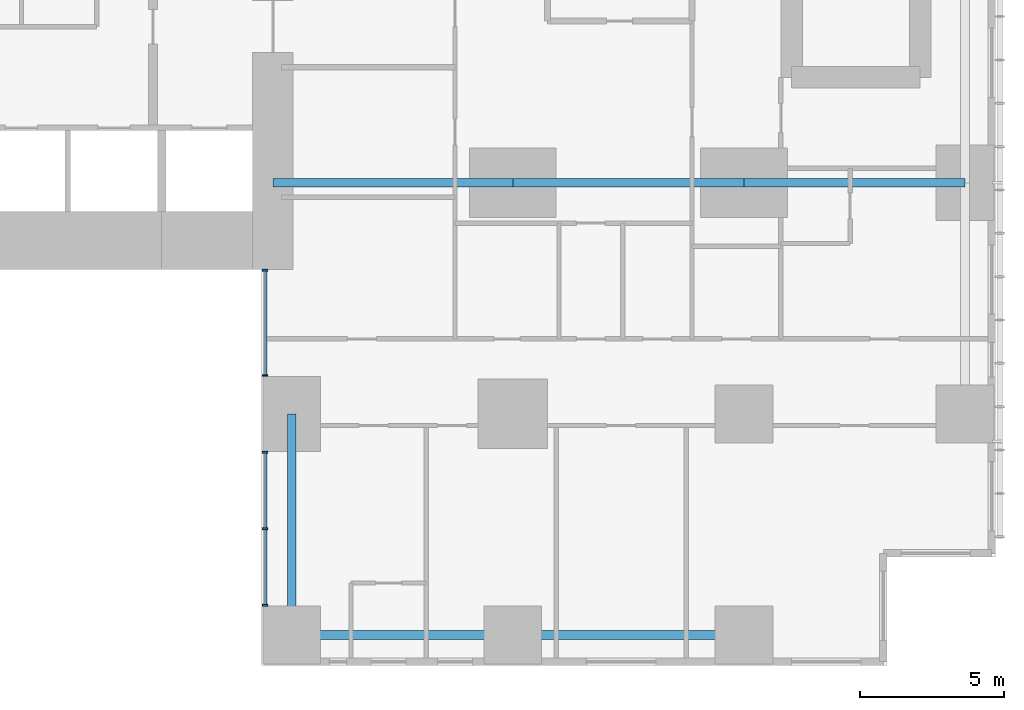
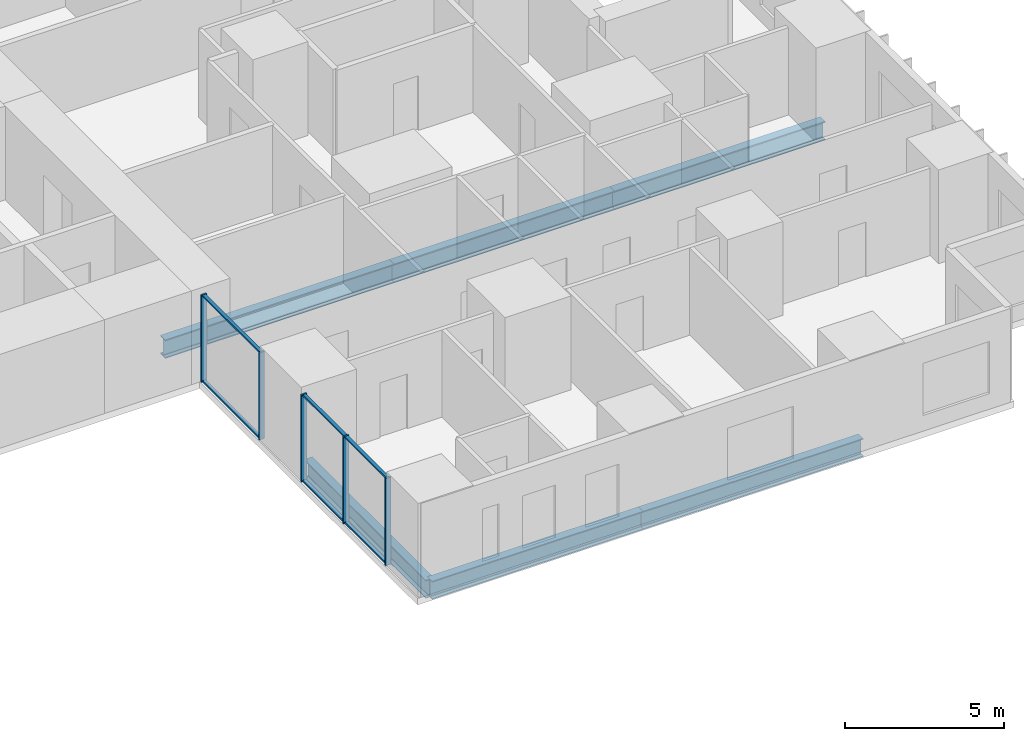
# One storey, part 3 of 20: 11 members, 6 beams, 2 elements without a shape of their own.
"""IFC4 building model written with IfcOpenShell, lengths in metres."""

from ifc_helpers import new_model, si_unit, direction, frame, origin, origin_2d, place, context, subcontext, project, spatial, rectangle, i_section, extrude, material, layer, layer_set, material_profile, profile_set, type_object, element, aggregate, save


model = new_model("IFC4")

# Units and contexts
model_context = context("Model", 3, precision=1e-05, world=origin(), true_north=direction((0.0, 1.0)))
body_context = subcontext(model_context, "Body", "Model", "MODEL_VIEW")
ifc_project = project(units=[si_unit("LENGTHUNIT", "METRE"), si_unit("AREAUNIT", "SQUARE_METRE"), si_unit("VOLUMEUNIT", "CUBIC_METRE"), si_unit("PLANEANGLEUNIT", "RADIAN"), si_unit("MASSUNIT", "GRAM", prefix="KILO")], contexts=[model_context])

# Site, building, storey
site_placement = place(None, origin())
site = spatial("IfcSite", under=ifc_project, at=site_placement, CompositionType="ELEMENT")
building_placement = place(site_placement, origin())
building = spatial("IfcBuilding", under=site, at=building_placement, Name="Cleftline Residences", CompositionType="ELEMENT")
storey_placement = place(building_placement, frame((0.0, 0.0, 36.800048828125)))
storey = spatial("IfcBuildingStorey", under=building, at=storey_placement, Name="L08", CompositionType="ELEMENT", Elevation=36.800048828125)

# Beams
ifc_material_1 = material(Name="Steel S355", Category="steel")
ifc_material_profile_1 = material_profile(ifc_material_1, i_section(OverallWidth=0.300048828125, OverallDepth=0.699951171875, WebThickness=0.01708984375, FlangeThickness=0.031982421875, FilletRadius=0.027099609375, at=origin_2d()))
ifc_profile_set_1 = profile_set([ifc_material_profile_1], Name="Steel S355")
beam_type_1 = type_object("IfcBeamType", Name="BEAM HEB 700", PredefinedType="BEAM", material=ifc_profile_set_1)
beam_1_placement = place(storey_placement, frame((58.0, 0.35009765625, -0.60009765625), z_axis=(-1.0, 0.0, 0.0), x_axis=(0.0, -1.0, 0.0)))
element("IfcBeam", 1, at=beam_1_placement, inside=storey, type_object=beam_type_1, Name="Edge beam", PredefinedType="BEAM", context=body_context, shape_type="SweptSolid", body=[
    extrude(i_section(OverallWidth=0.300048828125, OverallDepth=0.699951171875, WebThickness=0.01708984375, FlangeThickness=0.031982421875, FilletRadius=0.027099609375, at=origin_2d()), origin(), (0.0, 0.0, 1.0), 8.0),
])
for number, where, z_axis, x_axis, name in (
    (2, (50.0, 0.35009765625, -0.60009765625), (-1.0, 0.0, 0.0), (0.0, -1.0, 0.0), "Edge beam"),
    (3, (42.35009765625, 0.35009765625, -0.60009765625), (0.0, 1.0, 0.0), (-1.0, 0.0, 0.0), "Edge beam"),
):
    element("IfcBeam", number, at=place(storey_placement, frame(where, z_axis=z_axis, x_axis=x_axis)), inside=storey, type_object=beam_type_1, Name=name, PredefinedType="BEAM", context=body_context, shape_type="SweptSolid", body=[
        extrude(i_section(OverallWidth=0.300048828125, OverallDepth=0.699951171875, WebThickness=0.01708984375, FlangeThickness=0.031982421875, FilletRadius=0.027099609375, at=origin_2d()), origin(), (0.0, 0.0, 1.0), 7.64990234375),
    ])
ifc_material_2 = material(Name="Steel S355", Category="steel")
ifc_material_profile_2 = material_profile(ifc_material_2, i_section(OverallWidth=0.303955078125, OverallDepth=0.716064453125, WebThickness=0.02099609375, FlangeThickness=0.0400390625, FilletRadius=0.027099609375, at=origin_2d()))
ifc_profile_set_2 = profile_set([ifc_material_profile_2], Name="Steel S355")
beam_type_2 = type_object("IfcBeamType", Name="BEAM HEM 700", PredefinedType="BEAM", material=ifc_profile_set_2)
beam_2_placement = place(storey_placement, frame((65.64990234375, 16.0, -0.608154296875), z_axis=(-1.0, 0.0, 0.0), x_axis=(0.0, -1.0, 0.0)))
element("IfcBeam", 4, at=beam_2_placement, inside=storey, type_object=beam_type_2, Name="Band beam", PredefinedType="BEAM", context=body_context, shape_type="SweptSolid", body=[
    extrude(i_section(OverallWidth=0.303955078125, OverallDepth=0.716064453125, WebThickness=0.02099609375, FlangeThickness=0.0400390625, FilletRadius=0.027099609375, at=origin_2d()), origin(), (0.0, 0.0, 1.0), 7.64990234375),
])
beam_3_placement = place(storey_placement, frame((58.0, 16.0, -0.608154296875), z_axis=(-1.0, 0.0, 0.0), x_axis=(0.0, -1.0, 0.0)))
element("IfcBeam", 5, at=beam_3_placement, inside=storey, type_object=beam_type_2, Name="Band beam", PredefinedType="BEAM", context=body_context, shape_type="SweptSolid", body=[
    extrude(i_section(OverallWidth=0.303955078125, OverallDepth=0.716064453125, WebThickness=0.02099609375, FlangeThickness=0.0400390625, FilletRadius=0.027099609375, at=origin_2d()), origin(), (0.0, 0.0, 1.0), 8.0),
])
beam_4_placement = place(storey_placement, frame((50.0, 16.0, -0.608154296875), z_axis=(-1.0, 0.0, 0.0), x_axis=(0.0, -1.0, 0.0)))
element("IfcBeam", 6, at=beam_4_placement, inside=storey, type_object=beam_type_2, Name="Band beam", PredefinedType="BEAM", context=body_context, shape_type="SweptSolid", body=[
    extrude(i_section(OverallWidth=0.303955078125, OverallDepth=0.716064453125, WebThickness=0.02099609375, FlangeThickness=0.0400390625, FilletRadius=0.027099609375, at=origin_2d()), origin(), (0.0, 0.0, 1.0), 8.300048828125),
])

# Curtain wall, members
ifc_material_3 = material(Name="Aluminium framed curtain wall", Category="aluminium")
ifc_layer = layer(ifc_material_3, 0.199951171875)
ifc_layer_set = layer_set([ifc_layer], Name="CW1 CLEFT GLAZING")
curtain_wall_type = type_object("IfcCurtainWallType", Name="CW1 CLEFT GLAZING", PredefinedType="NOTDEFINED", material=ifc_layer_set)
curtain_wall_1_placement = place(storey_placement, origin())
curtain_wall_1 = element("IfcCurtainWall", 7, at=curtain_wall_1_placement, inside=storey, type_object=curtain_wall_type, Name="Curtain wall CW1", PredefinedType="NOTDEFINED")
ifc_material_4 = material(Name="Aluminium mullion", Category="aluminium")
ifc_material_profile_3 = material_profile(ifc_material_4, rectangle(XDim=0.199951171875, YDim=0.06005859375, at=origin_2d()))
ifc_profile_set_3 = profile_set([ifc_material_profile_3], Name="Aluminium mullion")
member_type_1 = type_object("IfcMemberType", Name="CW1 MULLION", PredefinedType="MULLION", material=ifc_profile_set_3)
member_1_placement = place(storey_placement, frame((41.425048828125, 12.969970703125, 0.0), z_axis=(0.0, 0.0, 1.0), x_axis=(1.0, 0.0, 0.0)))
member_1 = element("IfcMember", 8, at=member_1_placement, type_object=member_type_1, Name="CW1 mullion 1", PredefinedType="MULLION", context=body_context, shape_type="SweptSolid", body=[
    extrude(rectangle(XDim=0.199951171875, YDim=0.06005859375, at=origin_2d()), origin(), (0.0, 0.0, 1.0), 3.349853515625),
])
member_2_placement = place(storey_placement, frame((41.425048828125, 9.330078125, 0.0), z_axis=(0.0, 0.0, 1.0), x_axis=(1.0, 0.0, 0.0)))
member_2 = element("IfcMember", 9, at=member_2_placement, type_object=member_type_1, Name="CW1 mullion 2", PredefinedType="MULLION", context=body_context, shape_type="SweptSolid", body=[
    extrude(rectangle(XDim=0.199951171875, YDim=0.06005859375, at=origin_2d()), origin(), (0.0, 0.0, 1.0), 3.349853515625),
])

curtain_wall_2_placement = place(storey_placement, origin())
curtain_wall_2 = element("IfcCurtainWall", 10, at=curtain_wall_2_placement, inside=storey, type_object=curtain_wall_type, Name="Curtain wall CW1", PredefinedType="NOTDEFINED")
member_3_placement = place(storey_placement, frame((41.425048828125, 6.669921875, 0.0), z_axis=(0.0, 0.0, 1.0), x_axis=(1.0, 0.0, 0.0)))
member_3 = element("IfcMember", 11, at=member_3_placement, type_object=member_type_1, Name="CW1 mullion 1", PredefinedType="MULLION", context=body_context, shape_type="SweptSolid", body=[
    extrude(rectangle(XDim=0.199951171875, YDim=0.06005859375, at=origin_2d()), origin(), (0.0, 0.0, 1.0), 3.349853515625),
])
member_4_placement = place(storey_placement, frame((41.425048828125, 4.02490234375, 0.0), z_axis=(0.0, 0.0, 1.0), x_axis=(1.0, 0.0, 0.0)))
member_4 = element("IfcMember", 12, at=member_4_placement, type_object=member_type_1, Name="CW1 mullion 2", PredefinedType="MULLION", context=body_context, shape_type="SweptSolid", body=[
    extrude(rectangle(XDim=0.199951171875, YDim=0.06005859375, at=origin_2d()), origin(), (0.0, 0.0, 1.0), 3.349853515625),
])
member_5_placement = place(storey_placement, frame((41.425048828125, 1.3798828125, 0.0), z_axis=(0.0, 0.0, 1.0), x_axis=(1.0, 0.0, 0.0)))
member_5 = element("IfcMember", 13, at=member_5_placement, type_object=member_type_1, Name="CW1 mullion 3", PredefinedType="MULLION", context=body_context, shape_type="SweptSolid", body=[
    extrude(rectangle(XDim=0.199951171875, YDim=0.06005859375, at=origin_2d()), origin(), (0.0, 0.0, 1.0), 3.349853515625),
])

# Member
ifc_material_5 = material(Name="Aluminium transom", Category="aluminium")
ifc_material_profile_4 = material_profile(ifc_material_5, rectangle(XDim=0.1201171875, YDim=0.06005859375, at=origin_2d()))
ifc_profile_set_4 = profile_set([ifc_material_profile_4], Name="Aluminium transom")
member_type_2 = type_object("IfcMemberType", Name="CW1 TRANSOM", PredefinedType="USERDEFINED", material=ifc_profile_set_4)
member_6_placement = place(storey_placement, frame((41.425048828125, 12.93994140625, 0.030029296875), z_axis=(0.0, -1.0, 0.0), x_axis=(1.0, 0.0, 0.0)))
member_6 = element("IfcMember", 14, at=member_6_placement, type_object=member_type_2, Name="CW1 transom 1.1", ObjectType="TRANSOM", PredefinedType="USERDEFINED", context=body_context, shape_type="SweptSolid", body=[
    extrude(rectangle(XDim=0.1201171875, YDim=0.06005859375, at=origin_2d()), origin(), (0.0, 0.0, 1.0), 3.579833984375),
])

member_7_placement = place(storey_placement, frame((41.425048828125, 12.93994140625, 3.320068359375), z_axis=(0.0, -1.0, 0.0), x_axis=(1.0, 0.0, 0.0)))
member_7 = element("IfcMember", 15, at=member_7_placement, type_object=member_type_2, Name="CW1 transom 1.2", ObjectType="TRANSOM", PredefinedType="USERDEFINED", context=body_context, shape_type="SweptSolid", body=[
    extrude(rectangle(XDim=0.1201171875, YDim=0.06005859375, at=origin_2d()), origin(), (0.0, 0.0, 1.0), 3.579833984375),
])

aggregate(curtain_wall_1, [member_1, member_2, member_6, member_7])

member_8_placement = place(storey_placement, frame((41.425048828125, 6.639892578125, 0.030029296875), z_axis=(0.0, -1.0, 0.0), x_axis=(1.0, 0.0, 0.0)))
member_8 = element("IfcMember", 16, at=member_8_placement, type_object=member_type_2, Name="CW1 transom 1.1", ObjectType="TRANSOM", PredefinedType="USERDEFINED", context=body_context, shape_type="SweptSolid", body=[
    extrude(rectangle(XDim=0.1201171875, YDim=0.06005859375, at=origin_2d()), origin(), (0.0, 0.0, 1.0), 2.5849609375),
])

member_9_placement = place(storey_placement, frame((41.425048828125, 6.639892578125, 3.320068359375), z_axis=(0.0, -1.0, 0.0), x_axis=(1.0, 0.0, 0.0)))
member_9 = element("IfcMember", 17, at=member_9_placement, type_object=member_type_2, Name="CW1 transom 1.2", ObjectType="TRANSOM", PredefinedType="USERDEFINED", context=body_context, shape_type="SweptSolid", body=[
    extrude(rectangle(XDim=0.1201171875, YDim=0.06005859375, at=origin_2d()), origin(), (0.0, 0.0, 1.0), 2.5849609375),
])

member_10_placement = place(storey_placement, frame((41.425048828125, 3.9951171875, 0.030029296875), z_axis=(0.0, -1.0, 0.0), x_axis=(1.0, 0.0, 0.0)))
member_10 = element("IfcMember", 18, at=member_10_placement, type_object=member_type_2, Name="CW1 transom 2.1", ObjectType="TRANSOM", PredefinedType="USERDEFINED", context=body_context, shape_type="SweptSolid", body=[
    extrude(rectangle(XDim=0.1201171875, YDim=0.06005859375, at=origin_2d()), origin(), (0.0, 0.0, 1.0), 2.585205078125),
])

member_11_placement = place(storey_placement, frame((41.425048828125, 3.9951171875, 3.320068359375), z_axis=(0.0, -1.0, 0.0), x_axis=(1.0, 0.0, 0.0)))
member_11 = element("IfcMember", 19, at=member_11_placement, type_object=member_type_2, Name="CW1 transom 2.2", ObjectType="TRANSOM", PredefinedType="USERDEFINED", context=body_context, shape_type="SweptSolid", body=[
    extrude(rectangle(XDim=0.1201171875, YDim=0.06005859375, at=origin_2d()), origin(), (0.0, 0.0, 1.0), 2.585205078125),
])

aggregate(curtain_wall_2, [member_3, member_4, member_5, member_8, member_9, member_10, member_11])

save(model, "model.ifc")
